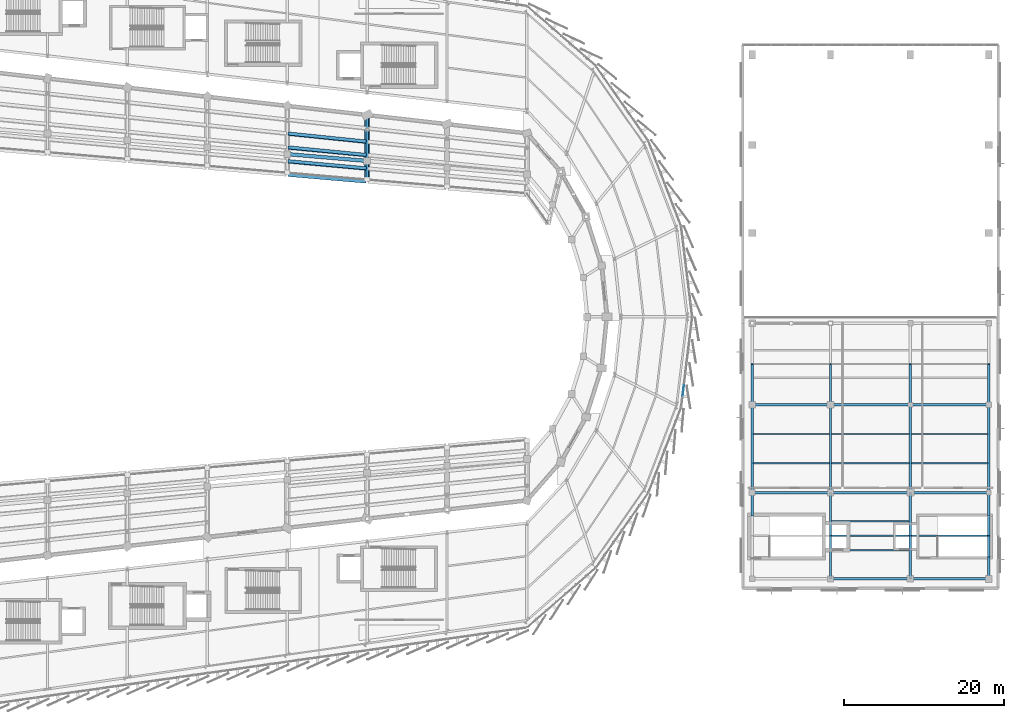
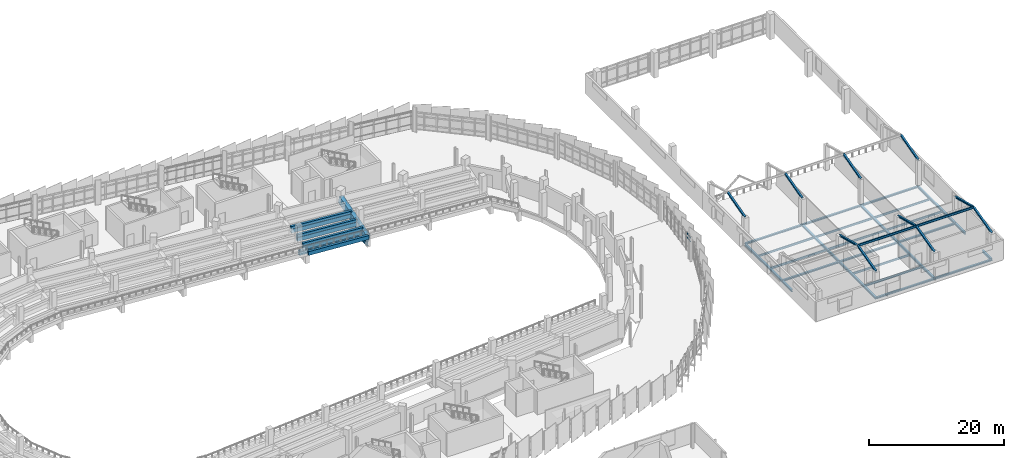
# One storey, part 64 of 120: 47 beams, 2 members, 1 element without a shape of its own.
"""IFC4 building model written with IfcOpenShell, lengths in metres."""

from ifc_helpers import new_model, si_unit, direction, frame, origin, origin_2d, place, context, subcontext, project, spatial, rectangle, i_section, extrude, material, layer, layer_set, material_profile, profile_set, type_object, element, aggregate, save


model = new_model("IFC4")

# Units and contexts
model_context = context("Model", 3, precision=1e-05, world=origin(), true_north=direction((0.0, 1.0)))
body_context = subcontext(model_context, "Body", "Model", "MODEL_VIEW")
ifc_project = project(units=[si_unit("LENGTHUNIT", "METRE"), si_unit("AREAUNIT", "SQUARE_METRE"), si_unit("VOLUMEUNIT", "CUBIC_METRE"), si_unit("PLANEANGLEUNIT", "RADIAN"), si_unit("MASSUNIT", "GRAM", prefix="KILO")], contexts=[model_context])

# Site, building, storey
site_placement = place(None, origin())
site = spatial("IfcSite", under=ifc_project, at=site_placement, CompositionType="ELEMENT")
building_placement = place(site_placement, origin())
building = spatial("IfcBuilding", under=site, at=building_placement, Name="Sohan Crest Arena", CompositionType="ELEMENT")
storey_placement = place(building_placement, frame((0.0, 0.0, 13.5)))
storey = spatial("IfcBuildingStorey", under=building, at=storey_placement, Name="L03", CompositionType="ELEMENT", Elevation=13.5)

# Curtain wall, members
ifc_material_1 = material(Name="Thermally broken anodised aluminium", Category="aluminium")
ifc_layer = layer(ifc_material_1, 0.18994140625, Name="Thermally broken anodised aluminium")
ifc_layer_set = layer_set([ifc_layer], Name="Thermally broken anodised aluminium")
curtain_wall_type = type_object("IfcCurtainWallType", Name="ARC-CW05", PredefinedType="NOTDEFINED", material=ifc_layer_set)
curtain_wall_placement = place(storey_placement, origin())
curtain_wall = element("IfcCurtainWall", 1, at=curtain_wall_placement, inside=storey, type_object=curtain_wall_type, Name="Unitised curtain wall CW-100", PredefinedType="NOTDEFINED")
ifc_material_profile_1 = material_profile(ifc_material_1, rectangle(XDim=0.06494140625, YDim=0.139892578125, at=origin_2d()), Name="ALU-TRAN 65x140")
ifc_profile_set_1 = profile_set([ifc_material_profile_1], Name="Thermally broken anodised aluminium")
member_type = type_object("IfcMemberType", Name="ARC-CW-TR02", PredefinedType="USERDEFINED", material=ifc_profile_set_1)
member_1_placement = place(storey_placement, frame((187.484619140625, 68.10009765625, 2.419921875), z_axis=(0.121913023634, 0.992540787408, 0.0), x_axis=(-0.992540787408, 0.121913023634, 0.0)))
member_1 = element("IfcMember", 2, at=member_1_placement, type_object=member_type, Name="CW-100 transom 2.3", ObjectType="TRANSOM", PredefinedType="USERDEFINED", context=body_context, shape_type="SweptSolid", body=[
    extrude(rectangle(XDim=0.06494140625, YDim=0.139892578125, at=origin_2d()), origin(), (0.0, 0.0, 1.0), 1.35986328125),
])
member_2_placement = place(storey_placement, frame((187.484619140625, 68.10009765625, 3.08740234375), z_axis=(0.121913023634, 0.992540787408, 0.0), x_axis=(-0.992540787408, 0.121913023634, 0.0)))
member_2 = element("IfcMember", 3, at=member_2_placement, type_object=member_type, Name="CW-100 transom 2.4", ObjectType="TRANSOM", PredefinedType="USERDEFINED", context=body_context, shape_type="SweptSolid", body=[
    extrude(rectangle(XDim=0.06494140625, YDim=0.139892578125, at=origin_2d()), origin(), (0.0, 0.0, 1.0), 1.35986328125),
])
aggregate(curtain_wall, [member_1, member_2])

# Beams
ifc_material_2 = material(Name="Steel S355", Category="steel")
ifc_material_profile_2 = material_profile(ifc_material_2, i_section(OverallWidth=0.169921875, OverallDepth=0.360107421875, WebThickness=0.008056640625, FlangeThickness=0.0126953125, at=origin_2d()), Name="IPE 360")
ifc_profile_set_2 = profile_set([ifc_material_profile_2], Name="Steel S355")
beam_type_1 = type_object("IfcBeamType", Name="STR-BM-B02", PredefinedType="JOIST", material=ifc_profile_set_2)
for number, where, z_axis, x_axis, name in (
    (4, (206.110107421875, 48.800048828125, -0.409912109375), (1.0, 0.0, 0.0), (0.0, 1.0, 0.0), "Structural beam J-L03-2360"),
    (5, (206.110107421875, 52.39990234375, -0.409912109375), (1.0, 0.0, 0.0), (0.0, 1.0, 0.0), "Structural beam J-L03-2361"),
):
    element("IfcBeam", number, at=place(storey_placement, frame(where, z_axis=z_axis, x_axis=x_axis)), inside=storey, type_object=beam_type_1, Name=name, PredefinedType="JOIST", context=body_context, shape_type="SweptSolid", body=[
        extrude(i_section(OverallWidth=0.169921875, OverallDepth=0.360107421875, WebThickness=0.008056640625, FlangeThickness=0.0126953125, at=origin_2d()), origin(), (0.0, 0.0, 1.0), 9.77978515625),
    ])
for number, where, z_axis, x_axis, name in (
    (6, (196.31005859375, 59.6669921875, -0.409912109375), (1.0, 0.0, 0.0), (0.0, 1.0, 0.0), "Structural beam J-L03-2364"),
    (7, (196.31005859375, 63.3330078125, -0.409912109375), (1.0, 0.0, 0.0), (0.0, 1.0, 0.0), "Structural beam J-L03-2365"),
):
    element("IfcBeam", number, at=place(storey_placement, frame(where, z_axis=z_axis, x_axis=x_axis)), inside=storey, type_object=beam_type_1, Name=name, PredefinedType="JOIST", context=body_context, shape_type="SweptSolid", body=[
        extrude(i_section(OverallWidth=0.169921875, OverallDepth=0.360107421875, WebThickness=0.008056640625, FlangeThickness=0.0126953125, at=origin_2d()), origin(), (0.0, 0.0, 1.0), 9.579833984375),
    ])
for number, where, z_axis, x_axis, name in (
    (8, (206.110107421875, 59.6669921875, -0.409912109375), (1.0, 0.0, 0.0), (0.0, 1.0, 0.0), "Structural beam J-L03-2367"),
    (9, (206.110107421875, 63.3330078125, -0.409912109375), (1.0, 0.0, 0.0), (0.0, 1.0, 0.0), "Structural beam J-L03-2368"),
):
    element("IfcBeam", number, at=place(storey_placement, frame(where, z_axis=z_axis, x_axis=x_axis)), inside=storey, type_object=beam_type_1, Name=name, PredefinedType="JOIST", context=body_context, shape_type="SweptSolid", body=[
        extrude(i_section(OverallWidth=0.169921875, OverallDepth=0.360107421875, WebThickness=0.008056640625, FlangeThickness=0.0126953125, at=origin_2d()), origin(), (0.0, 0.0, 1.0), 9.77978515625),
    ])
for number, where, z_axis, x_axis, name in (
    (10, (216.110107421875, 59.6669921875, -0.409912109375), (1.0, 0.0, 0.0), (0.0, 1.0, 0.0), "Structural beam J-L03-2370"),
    (11, (216.110107421875, 63.3330078125, -0.409912109375), (1.0, 0.0, 0.0), (0.0, 1.0, 0.0), "Structural beam J-L03-2371"),
):
    element("IfcBeam", number, at=place(storey_placement, frame(where, z_axis=z_axis, x_axis=x_axis)), inside=storey, type_object=beam_type_1, Name=name, PredefinedType="JOIST", context=body_context, shape_type="SweptSolid", body=[
        extrude(i_section(OverallWidth=0.169921875, OverallDepth=0.360107421875, WebThickness=0.008056640625, FlangeThickness=0.0126953125, at=origin_2d()), origin(), (0.0, 0.0, 1.0), 9.579833984375),
    ])
ifc_material_profile_3 = material_profile(ifc_material_2, i_section(OverallWidth=0.179931640625, OverallDepth=0.39990234375, WebThickness=0.008544921875, FlangeThickness=0.013427734375, at=origin_2d()), Name="IPE 400")
ifc_profile_set_3 = profile_set([ifc_material_profile_3], Name="Steel S355")
beam_type_2 = type_object("IfcBeamType", Name="STR-BM-B03", PredefinedType="JOIST", material=ifc_profile_set_3)
beam_1_placement = place(storey_placement, frame((206.0, 50.60009765625, 5.820068359375), z_axis=(1.0, 0.0, 0.0), x_axis=(0.0, 1.0, 0.0)))
element("IfcBeam", 12, at=beam_1_placement, inside=storey, type_object=beam_type_2, Name="Structural beam SVP-L03-3182", PredefinedType="JOIST", context=body_context, shape_type="SweptSolid", body=[
    extrude(i_section(OverallWidth=0.179931640625, OverallDepth=0.39990234375, WebThickness=0.008544921875, FlangeThickness=0.013427734375, at=origin_2d()), origin(), (0.0, 0.0, 1.0), 10.0),
])
beam_2_placement = place(storey_placement, frame((216.0, 50.60009765625, 5.820068359375), z_axis=(1.0, 0.0, 0.0), x_axis=(0.0, 1.0, 0.0)))
element("IfcBeam", 13, at=beam_2_placement, inside=storey, type_object=beam_type_2, Name="Structural beam SVP-L03-3183", PredefinedType="JOIST", context=body_context, shape_type="SweptSolid", body=[
    extrude(i_section(OverallWidth=0.179931640625, OverallDepth=0.39990234375, WebThickness=0.008544921875, FlangeThickness=0.013427734375, at=origin_2d()), origin(), (0.0, 0.0, 1.0), 9.800048828125),
])
ifc_material_profile_4 = material_profile(ifc_material_2, i_section(OverallWidth=0.300048828125, OverallDepth=0.2900390625, WebThickness=0.008544921875, FlangeThickness=0.013916015625, at=origin_2d()), Name="HEA 300")
ifc_profile_set_4 = profile_set([ifc_material_profile_4], Name="Steel S355")
beam_type_3 = type_object("IfcBeamType", Name="STR-BM-B08", PredefinedType="BEAM", material=ifc_profile_set_4)
beam_3_placement = place(storey_placement, frame((206.0, 45.199951171875, -0.375), z_axis=(1.0, 0.0, 0.0), x_axis=(0.0, 1.0, 0.0)))
element("IfcBeam", 14, at=beam_3_placement, inside=storey, type_object=beam_type_3, Name="Structural beam G-L03-2359", PredefinedType="BEAM", context=body_context, shape_type="SweptSolid", body=[
    extrude(i_section(OverallWidth=0.300048828125, OverallDepth=0.2900390625, WebThickness=0.008544921875, FlangeThickness=0.013916015625, at=origin_2d()), origin(), (0.0, 0.0, 1.0), 10.0),
])
for number, where, z_axis, x_axis, name in (
    (15, (216.0, 45.199951171875, -0.375), (1.0, 0.0, 0.0), (0.0, 1.0, 0.0), "Structural beam G-L03-2362"),
    (16, (196.199951171875, 56.0, -0.375), (1.0, 0.0, 0.0), (0.0, 1.0, 0.0), "Structural beam G-L03-2363"),
):
    element("IfcBeam", number, at=place(storey_placement, frame(where, z_axis=z_axis, x_axis=x_axis)), inside=storey, type_object=beam_type_3, Name=name, PredefinedType="BEAM", context=body_context, shape_type="SweptSolid", body=[
        extrude(i_section(OverallWidth=0.300048828125, OverallDepth=0.2900390625, WebThickness=0.008544921875, FlangeThickness=0.013916015625, at=origin_2d()), origin(), (0.0, 0.0, 1.0), 9.800048828125),
    ])
beam_4_placement = place(storey_placement, frame((206.0, 56.0, -0.375), z_axis=(1.0, 0.0, 0.0), x_axis=(0.0, 1.0, 0.0)))
element("IfcBeam", 17, at=beam_4_placement, inside=storey, type_object=beam_type_3, Name="Structural beam G-L03-2366", PredefinedType="BEAM", context=body_context, shape_type="SweptSolid", body=[
    extrude(i_section(OverallWidth=0.300048828125, OverallDepth=0.2900390625, WebThickness=0.008544921875, FlangeThickness=0.013916015625, at=origin_2d()), origin(), (0.0, 0.0, 1.0), 10.0),
])
for number, where, z_axis, x_axis, name in (
    (18, (216.0, 56.0, -0.375), (1.0, 0.0, 0.0), (0.0, 1.0, 0.0), "Structural beam G-L03-2369"),
    (19, (196.199951171875, 67.0, -0.375), (1.0, 0.0, 0.0), (0.0, 1.0, 0.0), "Structural beam G-L03-2372"),
):
    element("IfcBeam", number, at=place(storey_placement, frame(where, z_axis=z_axis, x_axis=x_axis)), inside=storey, type_object=beam_type_3, Name=name, PredefinedType="BEAM", context=body_context, shape_type="SweptSolid", body=[
        extrude(i_section(OverallWidth=0.300048828125, OverallDepth=0.2900390625, WebThickness=0.008544921875, FlangeThickness=0.013916015625, at=origin_2d()), origin(), (0.0, 0.0, 1.0), 9.800048828125),
    ])
beam_5_placement = place(storey_placement, frame((206.0, 67.0, -0.375), z_axis=(1.0, 0.0, 0.0), x_axis=(0.0, 1.0, 0.0)))
element("IfcBeam", 20, at=beam_5_placement, inside=storey, type_object=beam_type_3, Name="Structural beam G-L03-2375", PredefinedType="BEAM", context=body_context, shape_type="SweptSolid", body=[
    extrude(i_section(OverallWidth=0.300048828125, OverallDepth=0.2900390625, WebThickness=0.008544921875, FlangeThickness=0.013916015625, at=origin_2d()), origin(), (0.0, 0.0, 1.0), 10.0),
])
beam_6_placement = place(storey_placement, frame((216.0, 67.0, -0.375), z_axis=(1.0, 0.0, 0.0), x_axis=(0.0, 1.0, 0.0)))
element("IfcBeam", 21, at=beam_6_placement, inside=storey, type_object=beam_type_3, Name="Structural beam G-L03-2378", PredefinedType="BEAM", context=body_context, shape_type="SweptSolid", body=[
    extrude(i_section(OverallWidth=0.300048828125, OverallDepth=0.2900390625, WebThickness=0.008544921875, FlangeThickness=0.013916015625, at=origin_2d()), origin(), (0.0, 0.0, 1.0), 9.800048828125),
])
beam_7_placement = place(storey_placement, frame((206.0, 45.199951171875, 4.419921875), z_axis=(0.0, 0.967992172948, 0.250980383917), x_axis=(-1.0, 0.0, 0.0)))
element("IfcBeam", 22, at=beam_7_placement, inside=storey, type_object=beam_type_3, Name="Structural beam SVA-L03-3175", PredefinedType="BEAM", context=body_context, shape_type="SweptSolid", body=[
    extrude(i_section(OverallWidth=0.300048828125, OverallDepth=0.2900390625, WebThickness=0.008544921875, FlangeThickness=0.013916015625, at=origin_2d()), origin(), (0.0, 0.0, 1.0), 5.57861328125),
])
beam_8_placement = place(storey_placement, frame((206.0, 50.60009765625, 5.820068359375), z_axis=(0.0, 0.967989416096, -0.250991016426), x_axis=(-1.0, 0.0, 0.0)))
element("IfcBeam", 23, at=beam_8_placement, inside=storey, type_object=beam_type_3, Name="Structural beam SVA-L03-3176", PredefinedType="BEAM", context=body_context, shape_type="SweptSolid", body=[
    extrude(i_section(OverallWidth=0.300048828125, OverallDepth=0.2900390625, WebThickness=0.008544921875, FlangeThickness=0.013916015625, at=origin_2d()), origin(), (0.0, 0.0, 1.0), 5.578369140625),
])
beam_9_placement = place(storey_placement, frame((216.0, 45.199951171875, 4.419921875), z_axis=(0.0, 0.967992172948, 0.250980383917), x_axis=(-1.0, 0.0, 0.0)))
element("IfcBeam", 24, at=beam_9_placement, inside=storey, type_object=beam_type_3, Name="Structural beam SVA-L03-3177", PredefinedType="BEAM", context=body_context, shape_type="SweptSolid", body=[
    extrude(i_section(OverallWidth=0.300048828125, OverallDepth=0.2900390625, WebThickness=0.008544921875, FlangeThickness=0.013916015625, at=origin_2d()), origin(), (0.0, 0.0, 1.0), 5.57861328125),
])
beam_10_placement = place(storey_placement, frame((216.0, 50.60009765625, 5.820068359375), z_axis=(0.0, 0.967989416096, -0.250991016426), x_axis=(-1.0, 0.0, 0.0)))
element("IfcBeam", 25, at=beam_10_placement, inside=storey, type_object=beam_type_3, Name="Structural beam SVA-L03-3178", PredefinedType="BEAM", context=body_context, shape_type="SweptSolid", body=[
    extrude(i_section(OverallWidth=0.300048828125, OverallDepth=0.2900390625, WebThickness=0.008544921875, FlangeThickness=0.013916015625, at=origin_2d()), origin(), (0.0, 0.0, 1.0), 5.578369140625),
])
beam_11_placement = place(storey_placement, frame((225.800048828125, 45.199951171875, 4.419921875), z_axis=(0.0, 0.967992172948, 0.250980383917), x_axis=(-1.0, 0.0, 0.0)))
element("IfcBeam", 26, at=beam_11_placement, inside=storey, type_object=beam_type_3, Name="Structural beam SVA-L03-3179", PredefinedType="BEAM", context=body_context, shape_type="SweptSolid", body=[
    extrude(i_section(OverallWidth=0.300048828125, OverallDepth=0.2900390625, WebThickness=0.008544921875, FlangeThickness=0.013916015625, at=origin_2d()), origin(), (0.0, 0.0, 1.0), 5.57861328125),
])
beam_12_placement = place(storey_placement, frame((225.800048828125, 50.60009765625, 5.820068359375), z_axis=(0.0, 0.967989416096, -0.250991016426), x_axis=(-1.0, 0.0, 0.0)))
element("IfcBeam", 27, at=beam_12_placement, inside=storey, type_object=beam_type_3, Name="Structural beam SVA-L03-3180", PredefinedType="BEAM", context=body_context, shape_type="SweptSolid", body=[
    extrude(i_section(OverallWidth=0.300048828125, OverallDepth=0.2900390625, WebThickness=0.008544921875, FlangeThickness=0.013916015625, at=origin_2d()), origin(), (0.0, 0.0, 1.0), 5.578369140625),
])
for number, where, z_axis, x_axis, name in (
    (28, (196.199951171875, 67.0, 4.419921875), (0.0, 0.964320371271, 0.264738024377), (-1.0, 0.0, 0.0), "Structural beam SVA-L03-3184"),
    (29, (206.0, 67.0, 4.419921875), (0.0, 0.964320371271, 0.264738024377), (-1.0, 0.0, 0.0), "Structural beam SVA-L03-3186"),
    (30, (216.0, 67.0, 4.419921875), (0.0, 0.964320371271, 0.264738024377), (-1.0, 0.0, 0.0), "Structural beam SVA-L03-3188"),
    (31, (225.800048828125, 67.0, 4.419921875), (0.0, 0.964320371271, 0.264738024377), (-1.0, 0.0, 0.0), "Structural beam SVA-L03-3190"),
):
    element("IfcBeam", number, at=place(storey_placement, frame(where, z_axis=z_axis, x_axis=x_axis)), inside=storey, type_object=beam_type_3, Name=name, PredefinedType="BEAM", context=body_context, shape_type="SweptSolid", body=[
        extrude(i_section(OverallWidth=0.300048828125, OverallDepth=0.2900390625, WebThickness=0.008544921875, FlangeThickness=0.013916015625, at=origin_2d()), origin(), (0.0, 0.0, 1.0), 5.288818359375),
    ])
ifc_material_profile_5 = material_profile(ifc_material_2, i_section(OverallWidth=0.300048828125, OverallDepth=0.389892578125, WebThickness=0.010986328125, FlangeThickness=0.01904296875, at=origin_2d()), Name="HEA 400")
ifc_profile_set_5 = profile_set([ifc_material_profile_5], Name="Steel S355")
beam_type_4 = type_object("IfcBeamType", Name="STR-BM-B09", PredefinedType="BEAM", material=ifc_profile_set_5)
beam_13_placement = place(storey_placement, frame((196.199951171875, 53.080078125, -0.425048828125), z_axis=(0.0, 1.0, 0.0), x_axis=(-1.0, 0.0, 0.0)))
element("IfcBeam", 32, at=beam_13_placement, inside=storey, type_object=beam_type_4, Name="Structural beam G-L03-2345", PredefinedType="BEAM", context=body_context, shape_type="SweptSolid", body=[
    extrude(i_section(OverallWidth=0.300048828125, OverallDepth=0.389892578125, WebThickness=0.010986328125, FlangeThickness=0.01904296875, at=origin_2d()), origin(), (0.0, 0.0, 1.0), 2.919921875),
])
beam_14_placement = place(storey_placement, frame((196.199951171875, 56.0, -0.425048828125), z_axis=(0.0, 1.0, 0.0), x_axis=(-1.0, 0.0, 0.0)))
element("IfcBeam", 33, at=beam_14_placement, inside=storey, type_object=beam_type_4, Name="Structural beam G-L03-2346", PredefinedType="BEAM", context=body_context, shape_type="SweptSolid", body=[
    extrude(i_section(OverallWidth=0.300048828125, OverallDepth=0.389892578125, WebThickness=0.010986328125, FlangeThickness=0.01904296875, at=origin_2d()), origin(), (0.0, 0.0, 1.0), 11.0),
])
beam_15_placement = place(storey_placement, frame((206.0, 45.199951171875, -0.425048828125), z_axis=(0.0, 1.0, 0.0), x_axis=(-1.0, 0.0, 0.0)))
element("IfcBeam", 34, at=beam_15_placement, inside=storey, type_object=beam_type_4, Name="Structural beam G-L03-2348", PredefinedType="BEAM", context=body_context, shape_type="SweptSolid", body=[
    extrude(i_section(OverallWidth=0.300048828125, OverallDepth=0.389892578125, WebThickness=0.010986328125, FlangeThickness=0.01904296875, at=origin_2d()), origin(), (0.0, 0.0, 1.0), 10.800048828125),
])
beam_16_placement = place(storey_placement, frame((206.0, 56.0, -0.425048828125), z_axis=(0.0, 1.0, 0.0), x_axis=(-1.0, 0.0, 0.0)))
element("IfcBeam", 35, at=beam_16_placement, inside=storey, type_object=beam_type_4, Name="Structural beam G-L03-2349", PredefinedType="BEAM", context=body_context, shape_type="SweptSolid", body=[
    extrude(i_section(OverallWidth=0.300048828125, OverallDepth=0.389892578125, WebThickness=0.010986328125, FlangeThickness=0.01904296875, at=origin_2d()), origin(), (0.0, 0.0, 1.0), 11.0),
])
beam_17_placement = place(storey_placement, frame((216.0, 45.199951171875, -0.425048828125), z_axis=(0.0, 1.0, 0.0), x_axis=(-1.0, 0.0, 0.0)))
element("IfcBeam", 36, at=beam_17_placement, inside=storey, type_object=beam_type_4, Name="Structural beam G-L03-2351", PredefinedType="BEAM", context=body_context, shape_type="SweptSolid", body=[
    extrude(i_section(OverallWidth=0.300048828125, OverallDepth=0.389892578125, WebThickness=0.010986328125, FlangeThickness=0.01904296875, at=origin_2d()), origin(), (0.0, 0.0, 1.0), 10.800048828125),
])
beam_18_placement = place(storey_placement, frame((216.0, 56.0, -0.425048828125), z_axis=(0.0, 1.0, 0.0), x_axis=(-1.0, 0.0, 0.0)))
element("IfcBeam", 37, at=beam_18_placement, inside=storey, type_object=beam_type_4, Name="Structural beam G-L03-2352", PredefinedType="BEAM", context=body_context, shape_type="SweptSolid", body=[
    extrude(i_section(OverallWidth=0.300048828125, OverallDepth=0.389892578125, WebThickness=0.010986328125, FlangeThickness=0.01904296875, at=origin_2d()), origin(), (0.0, 0.0, 1.0), 11.0),
])
beam_19_placement = place(storey_placement, frame((225.800048828125, 45.199951171875, -0.425048828125), z_axis=(0.0, 1.0, 0.0), x_axis=(-1.0, 0.0, 0.0)))
element("IfcBeam", 38, at=beam_19_placement, inside=storey, type_object=beam_type_4, Name="Structural beam G-L03-2354", PredefinedType="BEAM", context=body_context, shape_type="SweptSolid", body=[
    extrude(i_section(OverallWidth=0.300048828125, OverallDepth=0.389892578125, WebThickness=0.010986328125, FlangeThickness=0.01904296875, at=origin_2d()), origin(), (0.0, 0.0, 1.0), 2.719970703125),
])
beam_20_placement = place(storey_placement, frame((225.800048828125, 53.080078125, -0.425048828125), z_axis=(0.0, 1.0, 0.0), x_axis=(-1.0, 0.0, 0.0)))
element("IfcBeam", 39, at=beam_20_placement, inside=storey, type_object=beam_type_4, Name="Structural beam G-L03-2355", PredefinedType="BEAM", context=body_context, shape_type="SweptSolid", body=[
    extrude(i_section(OverallWidth=0.300048828125, OverallDepth=0.389892578125, WebThickness=0.010986328125, FlangeThickness=0.01904296875, at=origin_2d()), origin(), (0.0, 0.0, 1.0), 2.919921875),
])
beam_21_placement = place(storey_placement, frame((225.800048828125, 56.0, -0.425048828125), z_axis=(0.0, 1.0, 0.0), x_axis=(-1.0, 0.0, 0.0)))
element("IfcBeam", 40, at=beam_21_placement, inside=storey, type_object=beam_type_4, Name="Structural beam G-L03-2356", PredefinedType="BEAM", context=body_context, shape_type="SweptSolid", body=[
    extrude(i_section(OverallWidth=0.300048828125, OverallDepth=0.389892578125, WebThickness=0.010986328125, FlangeThickness=0.01904296875, at=origin_2d()), origin(), (0.0, 0.0, 1.0), 11.0),
])
ifc_material_profile_6 = material_profile(ifc_material_2, i_section(OverallWidth=0.300048828125, OverallDepth=0.800048828125, WebThickness=0.017578125, FlangeThickness=0.032958984375, at=origin_2d()), Name="HEB 800")
ifc_profile_set_6 = profile_set([ifc_material_profile_6], Name="Steel S355")
beam_type_5 = type_object("IfcBeamType", Name="STR-BM-B17", PredefinedType="BEAM", material=ifc_profile_set_6)
beam_22_placement = place(storey_placement, frame((148.0, 103.285888671875, -0.64990234375), z_axis=(0.0, -1.0, 0.0), x_axis=(1.0, 0.0, 0.0)))
element("IfcBeam", 41, at=beam_22_placement, inside=storey, type_object=beam_type_5, Name="Structural beam GC-L03-0887", PredefinedType="BEAM", context=body_context, shape_type="SweptSolid", body=[
    extrude(i_section(OverallWidth=0.300048828125, OverallDepth=0.800048828125, WebThickness=0.017578125, FlangeThickness=0.032958984375, at=origin_2d()), origin(), (0.0, 0.0, 1.0), 8.07177734375),
])
ifc_material_3 = material(Name="Precast concrete C50/60", Category="concrete")
ifc_material_profile_7 = material_profile(ifc_material_3, rectangle(XDim=0.64990234375, YDim=1.35009765625, at=origin_2d()), Name="RAKER 650x1350")
ifc_profile_set_7 = profile_set([ifc_material_profile_7], Name="Precast concrete C50/60")
beam_type_6 = type_object("IfcBeamType", Name="STR-BM-RK06", PredefinedType="USERDEFINED", material=ifc_profile_set_7)
beam_23_placement = place(storey_placement, frame((148.0, 95.214111328125, 0.35009765625), z_axis=(0.0, 0.961725661117, 0.274014146988), x_axis=(-1.0, 0.0, 0.0)))
element("IfcBeam", 42, at=beam_23_placement, inside=storey, type_object=beam_type_6, Name="Structural beam RKU-L03-0888", ObjectType="RAKER", PredefinedType="USERDEFINED", context=body_context, shape_type="SweptSolid", body=[
    extrude(rectangle(XDim=0.64990234375, YDim=1.35009765625, at=origin_2d()), origin(), (0.0, 0.0, 1.0), 8.39306640625),
])
ifc_material_4 = material(Name="Concrete C40/50", Category="concrete")
ifc_material_profile_8 = material_profile(ifc_material_4, rectangle(XDim=0.39990234375, YDim=0.699951171875, at=origin_2d()), Name="RC-BM 400x700")
ifc_profile_set_8 = profile_set([ifc_material_profile_8], Name="Concrete C40/50")
beam_type_7 = type_object("IfcBeamType", Name="STR-BM-TB01", PredefinedType="BEAM", material=ifc_profile_set_8)
beam_24_placement = place(storey_placement, frame((147.889892578125, 94.923095703125, 0.85595703125), z_axis=(-0.996341446953, 0.085461810668, 0.0), x_axis=(-0.085461810668, -0.996341446953, 0.0)))
element("IfcBeam", 43, at=beam_24_placement, inside=storey, type_object=beam_type_7, Name="Upper tier front stringer TSB-U221A", PredefinedType="BEAM", context=body_context, shape_type="SweptSolid", body=[
    extrude(rectangle(XDim=0.39990234375, YDim=0.699951171875, at=origin_2d()), origin(), (0.0, 0.0, 1.0), 9.815673828125),
])
beam_25_placement = place(storey_placement, frame((147.889892578125, 96.531005859375, 0.85595703125), z_axis=(-0.995865446367, 0.090840589671, 0.0), x_axis=(-0.090840589671, -0.995865446367, 0.0)))
element("IfcBeam", 44, at=beam_25_placement, inside=storey, type_object=beam_type_7, Name="Upper tier rear stringer TSB-U221B", PredefinedType="BEAM", context=body_context, shape_type="SweptSolid", body=[
    extrude(rectangle(XDim=0.39990234375, YDim=0.699951171875, at=origin_2d()), origin(), (0.0, 0.0, 1.0), 9.8203125),
])
beam_26_placement = place(storey_placement, frame((147.889892578125, 96.597900390625, 1.31591796875), z_axis=(-0.995838414994, 0.091136442892, 0.0), x_axis=(-0.091136442892, -0.995838414994, 0.0)))
element("IfcBeam", 45, at=beam_26_placement, inside=storey, type_object=beam_type_7, Name="Upper tier front stringer TSB-U222A", PredefinedType="BEAM", context=body_context, shape_type="SweptSolid", body=[
    extrude(rectangle(XDim=0.39990234375, YDim=0.699951171875, at=origin_2d()), origin(), (0.0, 0.0, 1.0), 9.820556640625),
])
beam_27_placement = place(storey_placement, frame((147.89111328125, 98.20703125, 1.31591796875), z_axis=(-0.995346555601, 0.096359920365, 0.0), x_axis=(-0.096359920365, -0.995346555601, 0.0)))
element("IfcBeam", 46, at=beam_27_placement, inside=storey, type_object=beam_type_7, Name="Upper tier rear stringer TSB-U222B", PredefinedType="BEAM", context=body_context, shape_type="SweptSolid", body=[
    extrude(rectangle(XDim=0.39990234375, YDim=0.699951171875, at=origin_2d()), origin(), (0.0, 0.0, 1.0), 9.827880859375),
])
beam_28_placement = place(storey_placement, frame((147.89111328125, 98.27392578125, 1.77587890625), z_axis=(-0.995327475859, 0.096556800905, 0.0), x_axis=(-0.096556800905, -0.995327475859, 0.0)))
element("IfcBeam", 47, at=beam_28_placement, inside=storey, type_object=beam_type_7, Name="Upper tier front stringer TSB-U223A", PredefinedType="BEAM", context=body_context, shape_type="SweptSolid", body=[
    extrude(rectangle(XDim=0.39990234375, YDim=0.699951171875, at=origin_2d()), origin(), (0.0, 0.0, 1.0), 9.828125),
])
beam_29_placement = place(storey_placement, frame((147.89111328125, 99.881103515625, 1.77587890625), z_axis=(-0.994765143876, 0.10218761436, 0.0), x_axis=(-0.10218761436, -0.994765143876, 0.0)))
element("IfcBeam", 48, at=beam_29_placement, inside=storey, type_object=beam_type_7, Name="Upper tier rear stringer TSB-U223B", PredefinedType="BEAM", context=body_context, shape_type="SweptSolid", body=[
    extrude(rectangle(XDim=0.39990234375, YDim=0.699951171875, at=origin_2d()), origin(), (0.0, 0.0, 1.0), 9.833740234375),
])
beam_30_placement = place(storey_placement, frame((147.89111328125, 99.947998046875, 2.236083984375), z_axis=(-0.994742406315, 0.102408715834, 0.0), x_axis=(-0.102408715834, -0.994742406315, 0.0)))
element("IfcBeam", 49, at=beam_30_placement, inside=storey, type_object=beam_type_7, Name="Upper tier front stringer TSB-U224A", PredefinedType="BEAM", context=body_context, shape_type="SweptSolid", body=[
    extrude(rectangle(XDim=0.39990234375, YDim=0.699951171875, at=origin_2d()), origin(), (0.0, 0.0, 1.0), 9.833984375),
])
ifc_material_profile_9 = material_profile(ifc_material_4, rectangle(XDim=0.449951171875, YDim=0.800048828125, at=origin_2d()), Name="RC-BM 450x800")
ifc_profile_set_9 = profile_set([ifc_material_profile_9], Name="Concrete C40/50")
beam_type_8 = type_object("IfcBeamType", Name="STR-BM-TB02", PredefinedType="BEAM", material=ifc_profile_set_9)
beam_31_placement = place(storey_placement, frame((148.0, 97.513916015625, -0.64990234375), z_axis=(-0.996346353353, 0.085404590982, 0.0), x_axis=(-0.085404590982, -0.996346353353, 0.0)))
element("IfcBeam", 50, at=beam_31_placement, inside=storey, type_object=beam_type_8, Name="Structural beam TB-L03-0718", PredefinedType="BEAM", context=body_context, shape_type="SweptSolid", body=[
    extrude(rectangle(XDim=0.449951171875, YDim=0.800048828125, at=origin_2d()), origin(), (0.0, 0.0, 1.0), 10.03662109375),
])

save(model, "model.ifc")
